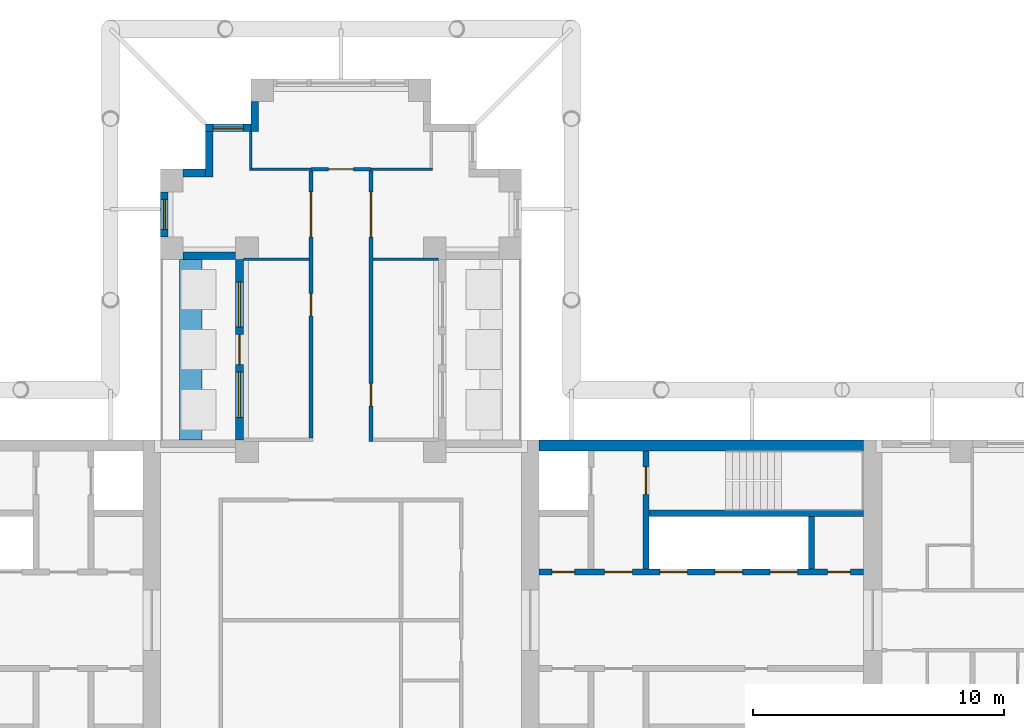
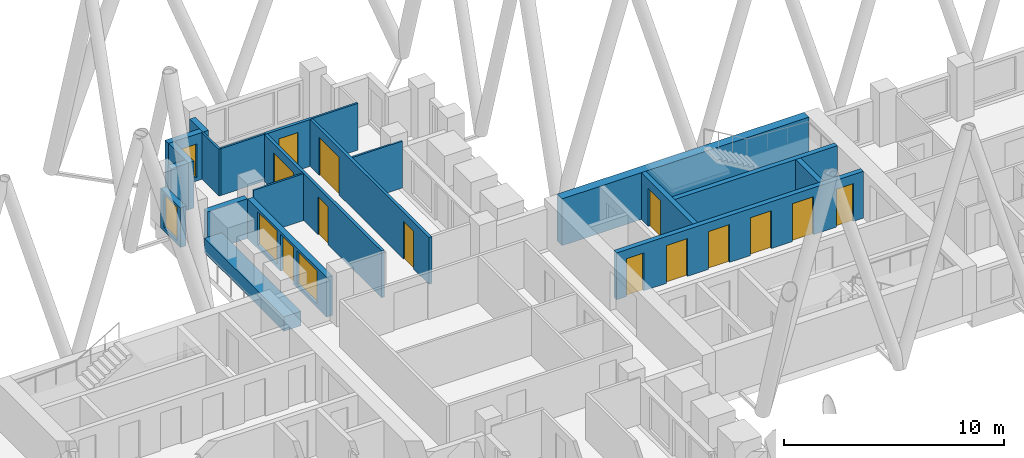
# One storey, part 7 of 12: 21 walls, 13 doors, 4 windows, 17 openings.
"""IFC4 building model written with IfcOpenShell, lengths in metres."""

from ifc_helpers import new_model, si_unit, direction, frame, frame_2d, origin, place, context, subcontext, project, spatial, rectangle, extrude, material, layer, layer_set, type_object, element, fill, save


model = new_model("IFC4")

# Units and contexts
model_context = context("Model", 3, precision=1e-05, world=origin(), true_north=direction((0.0, 1.0)))
body_context = subcontext(model_context, "Body", "Model", "MODEL_VIEW")
ifc_project = project(units=[si_unit("LENGTHUNIT", "METRE"), si_unit("AREAUNIT", "SQUARE_METRE"), si_unit("VOLUMEUNIT", "CUBIC_METRE"), si_unit("PLANEANGLEUNIT", "RADIAN"), si_unit("MASSUNIT", "GRAM", prefix="KILO")], contexts=[model_context])

# Site, building, storey
site_placement = place(None, origin())
site = spatial("IfcSite", under=ifc_project, at=site_placement, CompositionType="ELEMENT")
building_placement = place(site_placement, origin())
building = spatial("IfcBuilding", under=site, at=building_placement, Name="Fustian Cross Tower", CompositionType="ELEMENT")
storey_placement = place(building_placement, frame((0.0, 0.0, 129.300048828125)))
storey = spatial("IfcBuildingStorey", under=building, at=storey_placement, Name="L40", CompositionType="ELEMENT", Elevation=129.300048828125)

# Wall, openings, doors
ifc_material_1 = material(Name="Plasterboard on steel stud", Category="steel")
ifc_layer_1 = layer(ifc_material_1, 0.14990234375)
ifc_layer_set_1 = layer_set([ifc_layer_1], Name="Plasterboard on steel stud")
wall_type_1 = type_object("IfcWallType", Name="COMPARTMENT WALL 150 EI 60", PredefinedType="PARTITIONING", material=ifc_layer_set_1)
wall_1_placement = place(storey_placement, frame((-1.199951171875, 7.27490234375, 0.0), z_axis=(0.0, 0.0, 1.0), x_axis=(0.0, 1.0, 0.0)))
wall_1 = element("IfcWall", 1, at=wall_1_placement, inside=storey, type_object=wall_type_1, Name="Partition 31", PredefinedType="PARTITIONING", context=body_context, shape_type="SweptSolid", body=[
    extrude(rectangle(XDim=10.650146484375, YDim=0.14990234375, at=frame_2d((5.3251953125, 0.0))), origin(), (0.0, 0.0, 1.0), 2.599853515625),
])
opening_1_placement = place(wall_1_placement, frame((4.875, 0.0, 0.0)))
opening_1 = element("IfcOpeningElement", 2, at=opening_1_placement, cuts=wall_1, Name="Opening D19016", PredefinedType="OPENING", context=body_context, shape_type="SweptSolid", body=[
    extrude(rectangle(XDim=0.89990234375, YDim=2.10009765625, at=frame_2d((0.449951171875, 1.050048828125))), frame((0.0, 0.0849609375, 0.0), z_axis=(0.0, -1.0, 0.0), x_axis=(1.0, 0.0, 0.0)), (0.0, 0.0, 1.0), 0.169921875),
])
opening_2_placement = place(wall_1_placement, frame((8.02490234375, 0.0, 0.0)))
opening_2 = element("IfcOpeningElement", 3, at=opening_2_placement, cuts=wall_1, Name="Opening D19017", PredefinedType="OPENING", context=body_context, shape_type="SweptSolid", body=[
    extrude(rectangle(XDim=1.800048828125, YDim=2.10009765625, at=frame_2d((0.89990234375, 1.050048828125))), frame((0.0, 0.0849609375, 0.0), z_axis=(0.0, -1.0, 0.0), x_axis=(1.0, 0.0, 0.0)), (0.0, 0.0, 1.0), 0.169921875),
])
ifc_material_2 = material(Name="Timber fire door set", Category="wood")
door_type_1 = type_object("IfcDoorType", Name="FIRE DOUBLE DOOR 1800 FD30S", OperationType="DOUBLE_DOOR_DOUBLE_SWING", PredefinedType="DOOR", material=ifc_material_2)
door_1_placement = place(opening_2_placement, frame((1.800048828125, 0.0, 0.0), z_axis=(0.0, 0.0, 1.0), x_axis=(-1.0, 0.0, 0.0)))
door_1 = element("IfcDoor", 4, at=door_1_placement, inside=storey, type_object=door_type_1, Name="Door D19017", OperationType="DOUBLE_DOOR_DOUBLE_SWING", OverallHeight=2.10009765625, OverallWidth=1.800048828125, PredefinedType="DOOR", context=body_context, shape_type="SweptSolid", body=[
    extrude(rectangle(XDim=1.800048828125, YDim=2.10009765625, at=frame_2d((0.89990234375, 1.050048828125))), frame((0.0, 0.02490234375, 0.0), z_axis=(0.0, -1.0, 0.0), x_axis=(1.0, 0.0, 0.0)), (0.0, 0.0, 1.0), 0.050048828125),
])
fill(opening_2, door_1)
ifc_material_3 = material(Name="Timber fire door set", Category="wood")
door_type_2 = type_object("IfcDoorType", Name="FIRE SWING DOOR 900 FD30S", OperationType="SINGLE_SWING_LEFT", PredefinedType="DOOR", material=ifc_material_3)
door_2_placement = place(opening_1_placement, origin())
door_2 = element("IfcDoor", 5, at=door_2_placement, inside=storey, type_object=door_type_2, Name="Door D19016", OperationType="SINGLE_SWING_RIGHT", OverallHeight=2.10009765625, OverallWidth=0.89990234375, PredefinedType="DOOR", context=body_context, shape_type="SweptSolid", body=[
    extrude(rectangle(XDim=0.89990234375, YDim=2.10009765625, at=frame_2d((0.449951171875, 1.050048828125))), frame((0.0, 0.02490234375, 0.0), z_axis=(0.0, -1.0, 0.0), x_axis=(1.0, 0.0, 0.0)), (0.0, 0.0, 1.0), 0.050048828125),
])
fill(opening_1, door_2)

# Wall, opening, door
wall_2_placement = place(storey_placement, frame((-1.199951171875, 18.0, 0.0), z_axis=(0.0, 0.0, 1.0), x_axis=(1.0, 0.0, 0.0)))
wall_2 = element("IfcWall", 6, at=wall_2_placement, inside=storey, type_object=wall_type_1, Name="Partition 32", PredefinedType="PARTITIONING", context=body_context, shape_type="SweptSolid", body=[
    extrude(rectangle(XDim=2.39990234375, YDim=0.14990234375, at=frame_2d((1.199951171875, 0.0))), origin(), (0.0, 0.0, 1.0), 2.599853515625),
])
opening_3_placement = place(wall_2_placement, frame((0.699951171875, 0.0, 0.0)))
opening_3 = element("IfcOpeningElement", 7, at=opening_3_placement, cuts=wall_2, Name="Opening D19015", PredefinedType="OPENING", context=body_context, shape_type="SweptSolid", body=[
    extrude(rectangle(XDim=1.0, YDim=2.10009765625, at=frame_2d((0.5, 1.050048828125))), frame((0.0, 0.0849609375, 0.0), z_axis=(0.0, -1.0, 0.0), x_axis=(1.0, 0.0, 0.0)), (0.0, 0.0, 1.0), 0.169921875),
])
ifc_material_4 = material(Name="Timber fire door set", Category="wood")
door_type_3 = type_object("IfcDoorType", Name="FIRE SWING DOOR 1000 FD30S", OperationType="SINGLE_SWING_LEFT", PredefinedType="DOOR", material=ifc_material_4)
door_3_placement = place(opening_3_placement, origin())
door_3 = element("IfcDoor", 8, at=door_3_placement, inside=storey, type_object=door_type_3, Name="Door D19015", OperationType="SINGLE_SWING_LEFT", OverallHeight=2.10009765625, OverallWidth=1.0, PredefinedType="DOOR", context=body_context, shape_type="SweptSolid", body=[
    extrude(rectangle(XDim=1.0, YDim=2.10009765625, at=frame_2d((0.5, 1.050048828125))), frame((0.0, 0.02490234375, 0.0), z_axis=(0.0, -1.0, 0.0), x_axis=(1.0, 0.0, 0.0)), (0.0, 0.0, 1.0), 0.050048828125),
])
fill(opening_3, door_3)

# Wall, openings, doors
wall_3_placement = place(storey_placement, frame((1.199951171875, 7.125, 0.0), z_axis=(0.0, 0.0, 1.0), x_axis=(0.0, 1.0, 0.0)))
wall_3 = element("IfcWall", 9, at=wall_3_placement, inside=storey, type_object=wall_type_1, Name="Partition 38", PredefinedType="PARTITIONING", context=body_context, shape_type="SweptSolid", body=[
    extrude(rectangle(XDim=10.800048828125, YDim=0.14990234375, at=frame_2d((5.39990234375, 0.0))), origin(), (0.0, 0.0, 1.0), 2.599853515625),
])
opening_4_placement = place(wall_3_placement, frame((1.425048828125, 0.0, 0.0)))
opening_4 = element("IfcOpeningElement", 10, at=opening_4_placement, cuts=wall_3, Name="Opening D19018", PredefinedType="OPENING", context=body_context, shape_type="SweptSolid", body=[
    extrude(rectangle(XDim=0.89990234375, YDim=2.10009765625, at=frame_2d((0.449951171875, 1.050048828125))), frame((0.0, 0.0849609375, 0.0), z_axis=(0.0, -1.0, 0.0), x_axis=(1.0, 0.0, 0.0)), (0.0, 0.0, 1.0), 0.169921875),
])
opening_5_placement = place(wall_3_placement, frame((8.175048828125, 0.0, 0.0)))
opening_5 = element("IfcOpeningElement", 11, at=opening_5_placement, cuts=wall_3, Name="Opening D19019", PredefinedType="OPENING", context=body_context, shape_type="SweptSolid", body=[
    extrude(rectangle(XDim=1.800048828125, YDim=2.10009765625, at=frame_2d((0.89990234375, 1.050048828125))), frame((0.0, 0.0849609375, 0.0), z_axis=(0.0, -1.0, 0.0), x_axis=(1.0, 0.0, 0.0)), (0.0, 0.0, 1.0), 0.169921875),
])
door_4_placement = place(opening_5_placement, origin())
door_4 = element("IfcDoor", 12, at=door_4_placement, inside=storey, type_object=door_type_1, Name="Door D19019", OperationType="DOUBLE_DOOR_DOUBLE_SWING", OverallHeight=2.10009765625, OverallWidth=1.800048828125, PredefinedType="DOOR", context=body_context, shape_type="SweptSolid", body=[
    extrude(rectangle(XDim=1.800048828125, YDim=2.10009765625, at=frame_2d((0.89990234375, 1.050048828125))), frame((0.0, 0.02490234375, 0.0), z_axis=(0.0, -1.0, 0.0), x_axis=(1.0, 0.0, 0.0)), (0.0, 0.0, 1.0), 0.050048828125),
])
fill(opening_5, door_4)
door_5_placement = place(opening_4_placement, frame((0.89990234375, 0.0, 0.0), z_axis=(0.0, 0.0, 1.0), x_axis=(-1.0, 0.0, 0.0)))
door_5 = element("IfcDoor", 13, at=door_5_placement, inside=storey, type_object=door_type_2, Name="Door D19018", OperationType="SINGLE_SWING_RIGHT", OverallHeight=2.10009765625, OverallWidth=0.89990234375, PredefinedType="DOOR", context=body_context, shape_type="SweptSolid", body=[
    extrude(rectangle(XDim=0.89990234375, YDim=2.10009765625, at=frame_2d((0.449951171875, 1.050048828125))), frame((0.0, 0.02490234375, 0.0), z_axis=(0.0, -1.0, 0.0), x_axis=(1.0, 0.0, 0.0)), (0.0, 0.0, 1.0), 0.050048828125),
])
fill(opening_4, door_5)

# Wall
ifc_material_5 = material(Name="Concrete C60/75", Category="concrete")
ifc_layer_2 = layer(ifc_material_5, 0.449951171875)
ifc_layer_set_2 = layer_set([ifc_layer_2], Name="Concrete C60/75")
wall_type_2 = type_object("IfcWallType", Name="CORE FACADE WALL 450 C60/75", PredefinedType="SHEAR", material=ifc_layer_set_2)
wall_4_placement = place(storey_placement, frame((7.89990234375, 6.97509765625, 0.0), z_axis=(0.0, 0.0, 1.0), x_axis=(1.0, 0.0, 0.0)))
element("IfcWall", 14, at=wall_4_placement, inside=storey, type_object=wall_type_2, Name="Core facade wall", PredefinedType="SHEAR", context=body_context, shape_type="SweptSolid", body=[
    extrude(rectangle(XDim=12.9501953125, YDim=0.449951171875, at=frame_2d((6.47509765625, 0.0))), origin(), (0.0, 0.0, 1.0), 2.599853515625),
])

# Wall, openings, doors
ifc_material_6 = material(Name="Concrete C50/60", Category="concrete")
ifc_layer_3 = layer(ifc_material_6, 0.25)
ifc_layer_set_3 = layer_set([ifc_layer_3], Name="Concrete C50/60")
wall_type_3 = type_object("IfcWallType", Name="CORE LOBBY WALL 250 C50/60", PredefinedType="SHEAR", material=ifc_layer_set_3)
wall_5_placement = place(storey_placement, frame((7.89990234375, 1.925048828125, 0.0), z_axis=(0.0, 0.0, 1.0), x_axis=(1.0, 0.0, 0.0)))
wall_5 = element("IfcWall", 15, at=wall_5_placement, inside=storey, type_object=wall_type_3, Name="Core lobby wall", PredefinedType="SHEAR", context=body_context, shape_type="SweptSolid", body=[
    extrude(rectangle(XDim=12.9501953125, YDim=0.25, at=frame_2d((6.47509765625, 0.0))), origin(), (0.0, 0.0, 1.0), 2.599853515625),
])
opening_6_placement = place(wall_5_placement, frame((4.824951171875, 0.0, 0.0)))
opening_6 = element("IfcOpeningElement", 16, at=opening_6_placement, cuts=wall_5, Name="Opening LD", PredefinedType="OPENING", context=body_context, shape_type="SweptSolid", body=[
    extrude(rectangle(XDim=1.10009765625, YDim=2.10009765625, at=frame_2d((0.550048828125, 1.050048828125))), frame((0.0, 0.135009765625, 0.0), z_axis=(0.0, -1.0, 0.0), x_axis=(1.0, 0.0, 0.0)), (0.0, 0.0, 1.0), 0.27001953125),
])
opening_7_placement = place(wall_5_placement, frame((7.02490234375, 0.0, 0.0)))
opening_7 = element("IfcOpeningElement", 17, at=opening_7_placement, cuts=wall_5, Name="Opening LD", PredefinedType="OPENING", context=body_context, shape_type="SweptSolid", body=[
    extrude(rectangle(XDim=1.10009765625, YDim=2.10009765625, at=frame_2d((0.550048828125, 1.050048828125))), frame((0.0, 0.135009765625, 0.0), z_axis=(0.0, -1.0, 0.0), x_axis=(1.0, 0.0, 0.0)), (0.0, 0.0, 1.0), 0.27001953125),
])
opening_8_placement = place(wall_5_placement, frame((9.22509765625, 0.0, 0.0)))
opening_8 = element("IfcOpeningElement", 18, at=opening_8_placement, cuts=wall_5, Name="Opening LD", PredefinedType="OPENING", context=body_context, shape_type="SweptSolid", body=[
    extrude(rectangle(XDim=1.10009765625, YDim=2.10009765625, at=frame_2d((0.550048828125, 1.050048828125))), frame((0.0, 0.135009765625, 0.0), z_axis=(0.0, -1.0, 0.0), x_axis=(1.0, 0.0, 0.0)), (0.0, 0.0, 1.0), 0.27001953125),
])
opening_9_placement = place(wall_5_placement, frame((0.52490234375, 0.0, 0.0)))
opening_9 = element("IfcOpeningElement", 19, at=opening_9_placement, cuts=wall_5, Name="Opening CD-17-08", PredefinedType="OPENING", context=body_context, shape_type="SweptSolid", body=[
    extrude(rectangle(XDim=0.89990234375, YDim=2.10009765625, at=frame_2d((0.449951171875, 1.050048828125))), frame((0.0, 0.135009765625, 0.0), z_axis=(0.0, -1.0, 0.0), x_axis=(1.0, 0.0, 0.0)), (0.0, 0.0, 1.0), 0.27001953125),
])
opening_10_placement = place(wall_5_placement, frame((2.625, 0.0, 0.0)))
opening_10 = element("IfcOpeningElement", 20, at=opening_10_placement, cuts=wall_5, Name="Opening CD-17-10", PredefinedType="OPENING", context=body_context, shape_type="SweptSolid", body=[
    extrude(rectangle(XDim=1.10009765625, YDim=2.10009765625, at=frame_2d((0.550048828125, 1.050048828125))), frame((0.0, 0.135009765625, 0.0), z_axis=(0.0, -1.0, 0.0), x_axis=(1.0, 0.0, 0.0)), (0.0, 0.0, 1.0), 0.27001953125),
])
opening_11_placement = place(wall_5_placement, frame((11.52490234375, 0.0, 0.0)))
opening_11 = element("IfcOpeningElement", 21, at=opening_11_placement, cuts=wall_5, Name="Opening CD-17-14", PredefinedType="OPENING", context=body_context, shape_type="SweptSolid", body=[
    extrude(rectangle(XDim=0.89990234375, YDim=2.10009765625, at=frame_2d((0.449951171875, 1.050048828125))), frame((0.0, 0.135009765625, 0.0), z_axis=(0.0, -1.0, 0.0), x_axis=(1.0, 0.0, 0.0)), (0.0, 0.0, 1.0), 0.27001953125),
])
ifc_material_7 = material(Name="Steel", Category="steel")
door_type_4 = type_object("IfcDoorType", Name="FIRE DOOR FD30S 900X2100", OperationType="SINGLE_SWING_LEFT", PredefinedType="DOOR", material=ifc_material_7)
door_6_placement = place(opening_11_placement, origin())
door_6 = element("IfcDoor", 22, at=door_6_placement, inside=storey, type_object=door_type_4, Name="Core door CD-17-14", OperationType="SINGLE_SWING_LEFT", OverallHeight=2.10009765625, OverallWidth=0.89990234375, PredefinedType="DOOR", context=body_context, shape_type="SweptSolid", body=[
    extrude(rectangle(XDim=0.89990234375, YDim=2.10009765625, at=frame_2d((0.449951171875, 1.050048828125))), frame((0.0, 0.02490234375, 0.0), z_axis=(0.0, -1.0, 0.0), x_axis=(1.0, 0.0, 0.0)), (0.0, 0.0, 1.0), 0.050048828125),
])
fill(opening_11, door_6)
ifc_material_8 = material(Name="Steel", Category="steel")
door_type_5 = type_object("IfcDoorType", Name="FIRE DOOR FD60S 1100X2100", OperationType="SINGLE_SWING_LEFT", PredefinedType="DOOR", material=ifc_material_8)
door_7_placement = place(opening_10_placement, frame((1.10009765625, 0.0, 0.0), z_axis=(0.0, 0.0, 1.0), x_axis=(-1.0, 0.0, 0.0)))
door_7 = element("IfcDoor", 23, at=door_7_placement, inside=storey, type_object=door_type_5, Name="Core door CD-17-10", OperationType="SINGLE_SWING_RIGHT", OverallHeight=2.10009765625, OverallWidth=1.10009765625, PredefinedType="DOOR", context=body_context, shape_type="SweptSolid", body=[
    extrude(rectangle(XDim=1.10009765625, YDim=2.10009765625, at=frame_2d((0.550048828125, 1.050048828125))), frame((0.0, 0.02490234375, 0.0), z_axis=(0.0, -1.0, 0.0), x_axis=(1.0, 0.0, 0.0)), (0.0, 0.0, 1.0), 0.050048828125),
])
fill(opening_10, door_7)
ifc_material_9 = material(Name="Steel", Category="steel")
door_type_6 = type_object("IfcDoorType", Name="FIRE DOOR FD60S 900X2100", OperationType="SINGLE_SWING_LEFT", PredefinedType="DOOR", material=ifc_material_9)
door_8_placement = place(opening_9_placement, origin())
door_8 = element("IfcDoor", 24, at=door_8_placement, inside=storey, type_object=door_type_6, Name="Core door CD-17-08", OperationType="SINGLE_SWING_LEFT", OverallHeight=2.10009765625, OverallWidth=0.89990234375, PredefinedType="DOOR", context=body_context, shape_type="SweptSolid", body=[
    extrude(rectangle(XDim=0.89990234375, YDim=2.10009765625, at=frame_2d((0.449951171875, 1.050048828125))), frame((0.0, 0.02490234375, 0.0), z_axis=(0.0, -1.0, 0.0), x_axis=(1.0, 0.0, 0.0)), (0.0, 0.0, 1.0), 0.050048828125),
])
fill(opening_9, door_8)
ifc_material_10 = material(Name="Stainless steel", Category="steel")
door_type_7 = type_object("IfcDoorType", Name="LIFT LANDING DOOR 1100X2100", OperationType="SLIDING_TO_LEFT", PredefinedType="DOOR", material=ifc_material_10)
door_9_placement = place(opening_6_placement, origin())
door_9 = element("IfcDoor", 25, at=door_9_placement, inside=storey, type_object=door_type_7, Name="Landing door HR1", OperationType="SLIDING_TO_LEFT", OverallHeight=2.10009765625, OverallWidth=1.10009765625, PredefinedType="DOOR", context=body_context, shape_type="SweptSolid", body=[
    extrude(rectangle(XDim=1.10009765625, YDim=2.10009765625, at=frame_2d((0.550048828125, 1.050048828125))), frame((0.0, 0.02490234375, 0.0), z_axis=(0.0, -1.0, 0.0), x_axis=(1.0, 0.0, 0.0)), (0.0, 0.0, 1.0), 0.050048828125),
])
fill(opening_6, door_9)
door_10_placement = place(opening_7_placement, origin())
door_10 = element("IfcDoor", 26, at=door_10_placement, inside=storey, type_object=door_type_7, Name="Landing door HR2", OperationType="SLIDING_TO_LEFT", OverallHeight=2.10009765625, OverallWidth=1.10009765625, PredefinedType="DOOR", context=body_context, shape_type="SweptSolid", body=[
    extrude(rectangle(XDim=1.10009765625, YDim=2.10009765625, at=frame_2d((0.550048828125, 1.050048828125))), frame((0.0, 0.02490234375, 0.0), z_axis=(0.0, -1.0, 0.0), x_axis=(1.0, 0.0, 0.0)), (0.0, 0.0, 1.0), 0.050048828125),
])
fill(opening_7, door_10)
door_11_placement = place(opening_8_placement, origin())
door_11 = element("IfcDoor", 27, at=door_11_placement, inside=storey, type_object=door_type_7, Name="Landing door HR3", OperationType="SLIDING_TO_LEFT", OverallHeight=2.10009765625, OverallWidth=1.10009765625, PredefinedType="DOOR", context=body_context, shape_type="SweptSolid", body=[
    extrude(rectangle(XDim=1.10009765625, YDim=2.10009765625, at=frame_2d((0.550048828125, 1.050048828125))), frame((0.0, 0.02490234375, 0.0), z_axis=(0.0, -1.0, 0.0), x_axis=(1.0, 0.0, 0.0)), (0.0, 0.0, 1.0), 0.050048828125),
])
fill(opening_8, door_11)

# Wall
ifc_material_11 = material(Name="Concrete C50/60", Category="concrete")
ifc_layer_4 = layer(ifc_material_11, 0.25)
ifc_layer_set_4 = layer_set([ifc_layer_4], Name="Concrete C50/60")
wall_type_4 = type_object("IfcWallType", Name="CORE SHAFT WALL 250 C50/60", PredefinedType="SHEAR", material=ifc_layer_set_4)
wall_6_placement = place(storey_placement, frame((12.300048828125, 4.27490234375, 0.0), z_axis=(0.0, 0.0, 1.0), x_axis=(1.0, 0.0, 0.0)))
element("IfcWall", 28, at=wall_6_placement, inside=storey, type_object=wall_type_4, Name="Core shaft wall", PredefinedType="SHEAR", context=body_context, shape_type="SweptSolid", body=[
    extrude(rectangle(XDim=8.550048828125, YDim=0.25, at=frame_2d((4.27490234375, 0.0))), origin(), (0.0, 0.0, 1.0), 2.599853515625),
])

# Wall, opening, door
wall_7_placement = place(storey_placement, frame((12.175048828125, 2.050048828125, 0.0), z_axis=(0.0, 0.0, 1.0), x_axis=(0.0, 1.0, 0.0)))
wall_7 = element("IfcWall", 29, at=wall_7_placement, inside=storey, type_object=wall_type_4, Name="Core shaft wall", PredefinedType="SHEAR", context=body_context, shape_type="SweptSolid", body=[
    extrude(rectangle(XDim=4.699951171875, YDim=0.25, at=frame_2d((2.35009765625, 0.0))), origin(), (0.0, 0.0, 1.0), 2.599853515625),
])
opening_12_placement = place(wall_7_placement, frame((2.97509765625, 0.0, 0.0)))
opening_12 = element("IfcOpeningElement", 30, at=opening_12_placement, cuts=wall_7, Name="Opening CD-17-06", PredefinedType="OPENING", context=body_context, shape_type="SweptSolid", body=[
    extrude(rectangle(XDim=1.10009765625, YDim=2.10009765625, at=frame_2d((0.550048828125, 1.050048828125))), frame((0.0, 0.135009765625, 0.0), z_axis=(0.0, -1.0, 0.0), x_axis=(1.0, 0.0, 0.0)), (0.0, 0.0, 1.0), 0.27001953125),
])
door_12_placement = place(opening_12_placement, frame((1.10009765625, 0.0, 0.0), z_axis=(0.0, 0.0, 1.0), x_axis=(-1.0, 0.0, 0.0)))
door_12 = element("IfcDoor", 31, at=door_12_placement, inside=storey, type_object=door_type_5, Name="Core door CD-17-06", OperationType="SINGLE_SWING_RIGHT", OverallHeight=2.10009765625, OverallWidth=1.10009765625, PredefinedType="DOOR", context=body_context, shape_type="SweptSolid", body=[
    extrude(rectangle(XDim=1.10009765625, YDim=2.10009765625, at=frame_2d((0.550048828125, 1.050048828125))), frame((0.0, 0.02490234375, 0.0), z_axis=(0.0, -1.0, 0.0), x_axis=(1.0, 0.0, 0.0)), (0.0, 0.0, 1.0), 0.050048828125),
])
fill(opening_12, door_12)

# Walls
ifc_material_12 = material(Name="Plasterboard on steel stud", Category="steel")
ifc_layer_5 = layer(ifc_material_12, 0.10009765625)
ifc_layer_set_5 = layer_set([ifc_layer_5], Name="Plasterboard on steel stud")
wall_type_5 = type_object("IfcWallType", Name="PARTITION 100 STUD", PredefinedType="PARTITIONING", material=ifc_layer_set_5)
wall_8_placement = place(storey_placement, frame((-3.89990234375, 14.39990234375, 0.0), z_axis=(0.0, 0.0, 1.0), x_axis=(1.0, 0.0, 0.0)))
element("IfcWall", 32, at=wall_8_placement, inside=storey, type_object=wall_type_5, Name="Partition 23", PredefinedType="PARTITIONING", context=body_context, shape_type="SweptSolid", body=[
    extrude(rectangle(XDim=2.625, YDim=0.10009765625, at=frame_2d((1.3125, 0.0))), origin(), (0.0, 0.0, 1.0), 2.599853515625),
])
wall_9_placement = place(storey_placement, frame((-3.60009765625, 17.949951171875, 0.0), z_axis=(0.0, 0.0, 1.0), x_axis=(0.0, 1.0, 0.0)))
element("IfcWall", 33, at=wall_9_placement, inside=storey, type_object=wall_type_5, Name="Partition 27", PredefinedType="PARTITIONING", context=body_context, shape_type="SweptSolid", body=[
    extrude(rectangle(XDim=1.550048828125, YDim=0.10009765625, at=frame_2d((0.77490234375, 0.0))), origin(), (0.0, 0.0, 1.0), 2.599853515625),
])
wall_10_placement = place(storey_placement, frame((-3.550048828125, 18.0, 0.0), z_axis=(0.0, 0.0, 1.0), x_axis=(1.0, 0.0, 0.0)))
element("IfcWall", 34, at=wall_10_placement, inside=storey, type_object=wall_type_5, Name="Partition 28", PredefinedType="PARTITIONING", context=body_context, shape_type="SweptSolid", body=[
    extrude(rectangle(XDim=2.35009765625, YDim=0.10009765625, at=frame_2d((1.175048828125, 0.0))), origin(), (0.0, 0.0, 1.0), 2.599853515625),
])
wall_11_placement = place(storey_placement, frame((1.27490234375, 14.39990234375, 0.0), z_axis=(0.0, 0.0, 1.0), x_axis=(1.0, 0.0, 0.0)))
element("IfcWall", 35, at=wall_11_placement, inside=storey, type_object=wall_type_5, Name="Partition 40", PredefinedType="PARTITIONING", context=body_context, shape_type="SweptSolid", body=[
    extrude(rectangle(XDim=2.625, YDim=0.10009765625, at=frame_2d((1.3125, 0.0))), origin(), (0.0, 0.0, 1.0), 2.599853515625),
])
wall_12_placement = place(storey_placement, frame((1.199951171875, 18.0, 0.0), z_axis=(0.0, 0.0, 1.0), x_axis=(1.0, 0.0, 0.0)))
element("IfcWall", 36, at=wall_12_placement, inside=storey, type_object=wall_type_5, Name="Partition 41", PredefinedType="PARTITIONING", context=body_context, shape_type="SweptSolid", body=[
    extrude(rectangle(XDim=2.449951171875, YDim=0.10009765625, at=frame_2d((1.22509765625, 0.0))), origin(), (0.0, 0.0, 1.0), 2.599853515625),
])
ifc_material_13 = material(Name="Concrete C40/50", Category="concrete")
ifc_layer_6 = layer(ifc_material_13, 0.89990234375)
ifc_layer_set_6 = layer_set([ifc_layer_6], Name="Concrete C40/50")
wall_type_6 = type_object("IfcWallType", Name="PK1 PLANTER 900", PredefinedType="PARAPET", material=ifc_layer_set_6)
wall_13_placement = place(storey_placement, frame((-6.0, 7.199951171875, 0.0), z_axis=(0.0, 0.0, 1.0), x_axis=(0.0, 1.0, 0.0)))
element("IfcWall", 37, at=wall_13_placement, inside=storey, type_object=wall_type_6, Name="PLANTER", PredefinedType="PARAPET", context=body_context, shape_type="SweptSolid", body=[
    extrude(rectangle(XDim=7.199951171875, YDim=0.89990234375, at=frame_2d((3.60009765625, 0.0))), origin(), (0.0, 0.0, 1.0), 0.800048828125),
])
ifc_material_14 = material(Name="Concrete C40/50", Category="concrete")
ifc_layer_7 = layer(ifc_material_14, 0.25)
ifc_layer_set_7 = layer_set([ifc_layer_7], Name="Concrete C40/50")
wall_type_7 = type_object("IfcWallType", Name="SHAFT PARTITION WALL 250 C40/50", PredefinedType="PARTITIONING", material=ifc_layer_set_7)
wall_14_placement = place(storey_placement, frame((18.77490234375, 2.050048828125, 0.0), z_axis=(0.0, 0.0, 1.0), x_axis=(0.0, 1.0, 0.0)))
element("IfcWall", 38, at=wall_14_placement, inside=storey, type_object=wall_type_7, Name="Core shaft wall", PredefinedType="PARTITIONING", context=body_context, shape_type="SweptSolid", body=[
    extrude(rectangle(XDim=2.099853515625, YDim=0.25, at=frame_2d((1.0498046875, 0.0))), origin(), (0.0, 0.0, 1.0), 2.599853515625),
])
ifc_material_15 = material(Name="Dark aluminium cladding on insulated backing wall", Category="aluminium")
ifc_layer_8 = layer(ifc_material_15, 0.300048828125)
ifc_layer_set_8 = layer_set([ifc_layer_8], Name="Dark aluminium cladding on insulated backing wall")
wall_type_8 = type_object("IfcWallType", Name="XW1 EXTERNAL WALL 300", PredefinedType="SOLIDWALL", material=ifc_layer_set_8)
wall_15_placement = place(storey_placement, frame((-3.449951171875, 20.699951171875, 0.0), z_axis=(0.0, 0.0, 1.0), x_axis=(0.0, -1.0, 0.0)))
element("IfcWall", 39, at=wall_15_placement, inside=storey, type_object=wall_type_8, Name="External wall", PredefinedType="SOLIDWALL", context=body_context, shape_type="SweptSolid", body=[
    extrude(rectangle(XDim=1.199951171875, YDim=0.300048828125, at=frame_2d((0.60009765625, 0.0))), origin(), (0.0, 0.0, 1.0), 2.599853515625),
])

# Wall, opening, window
wall_16_placement = place(storey_placement, frame((-3.60009765625, 19.64990234375, 0.0), z_axis=(0.0, 0.0, 1.0), x_axis=(-1.0, 0.0, 0.0)))
wall_16 = element("IfcWall", 40, at=wall_16_placement, inside=storey, type_object=wall_type_8, Name="External wall", PredefinedType="SOLIDWALL", context=body_context, shape_type="SweptSolid", body=[
    extrude(rectangle(XDim=1.7998046875, YDim=0.300048828125, at=frame_2d((0.89990234375, 0.0))), origin(), (0.0, 0.0, 1.0), 2.599853515625),
])
opening_13_placement = place(wall_16_placement, frame((0.300048828125, 0.0, 0.199951171875)))
opening_13 = element("IfcOpeningElement", 41, at=opening_13_placement, cuts=wall_16, Name="Opening WN3", PredefinedType="OPENING", context=body_context, shape_type="SweptSolid", body=[
    extrude(rectangle(XDim=1.199951171875, YDim=1.85009765625, at=frame_2d((0.60009765625, 0.925048828125))), frame((0.0, 0.159912109375, 0.0), z_axis=(0.0, -1.0, 0.0), x_axis=(1.0, 0.0, 0.0)), (0.0, 0.0, 1.0), 0.320068359375),
])
ifc_material_16 = material(Name="Dark anodised aluminium and double glazing", Category="aluminium")
window_type_1 = type_object("IfcWindowType", Name="WN3 WINDOW 1200X1850", PartitioningType="SINGLE_PANEL", PredefinedType="WINDOW", material=ifc_material_16)
window_1_placement = place(opening_13_placement, origin())
window_1 = element("IfcWindow", 42, at=window_1_placement, inside=storey, type_object=window_type_1, Name="Window", OverallHeight=1.85009765625, OverallWidth=1.199951171875, PartitioningType="SINGLE_PANEL", PredefinedType="WINDOW", context=body_context, shape_type="SweptSolid", body=[
    extrude(rectangle(XDim=1.199951171875, YDim=1.85009765625, at=frame_2d((0.60009765625, 0.925048828125))), frame((0.0, 0.030029296875, 0.0), z_axis=(0.0, -1.0, 0.0), x_axis=(1.0, 0.0, 0.0)), (0.0, 0.0, 1.0), 0.06005859375),
])
fill(opening_13, window_1)

# Walls
wall_17_placement = place(storey_placement, frame((-5.25, 19.5, 0.0), z_axis=(0.0, 0.0, 1.0), x_axis=(0.0, -1.0, 0.0)))
element("IfcWall", 43, at=wall_17_placement, inside=storey, type_object=wall_type_8, Name="External wall", PredefinedType="SOLIDWALL", context=body_context, shape_type="SweptSolid", body=[
    extrude(rectangle(XDim=1.800048828125, YDim=0.300048828125, at=frame_2d((0.89990234375, 0.0))), origin(), (0.0, 0.0, 1.0), 2.599853515625),
])
wall_18_placement = place(storey_placement, frame((-5.39990234375, 17.85009765625, 0.0), z_axis=(0.0, 0.0, 1.0), x_axis=(-1.0, 0.0, 0.0)))
element("IfcWall", 44, at=wall_18_placement, inside=storey, type_object=wall_type_8, Name="External wall", PredefinedType="SOLIDWALL", context=body_context, shape_type="SweptSolid", body=[
    extrude(rectangle(XDim=0.900146484375, YDim=0.300048828125, at=frame_2d((0.4501953125, 0.0))), origin(), (0.0, 0.0, 1.0), 2.599853515625),
])

# Wall, opening, window
wall_19_placement = place(storey_placement, frame((-7.050048828125, 17.10009765625, 0.0), z_axis=(0.0, 0.0, 1.0), x_axis=(0.0, -1.0, 0.0)))
wall_19 = element("IfcWall", 45, at=wall_19_placement, inside=storey, type_object=wall_type_8, Name="External wall", PredefinedType="SOLIDWALL", context=body_context, shape_type="SweptSolid", body=[
    extrude(rectangle(XDim=1.800048828125, YDim=0.300048828125, at=frame_2d((0.89990234375, 0.0))), origin(), (0.0, 0.0, 1.0), 2.199951171875),
])
opening_14_placement = place(wall_19_placement, frame((0.300048828125, 0.0, 0.199951171875)))
opening_14 = element("IfcOpeningElement", 46, at=opening_14_placement, cuts=wall_19, Name="Opening WN3", PredefinedType="OPENING", context=body_context, shape_type="SweptSolid", body=[
    extrude(rectangle(XDim=1.199951171875, YDim=1.85009765625, at=frame_2d((0.60009765625, 0.925048828125))), frame((0.0, 0.159912109375, 0.0), z_axis=(0.0, -1.0, 0.0), x_axis=(1.0, 0.0, 0.0)), (0.0, 0.0, 1.0), 0.320068359375),
])
window_2_placement = place(opening_14_placement, origin())
window_2 = element("IfcWindow", 47, at=window_2_placement, inside=storey, type_object=window_type_1, Name="Window", OverallHeight=1.85009765625, OverallWidth=1.199951171875, PartitioningType="SINGLE_PANEL", PredefinedType="WINDOW", context=body_context, shape_type="SweptSolid", body=[
    extrude(rectangle(XDim=1.199951171875, YDim=1.85009765625, at=frame_2d((0.60009765625, 0.925048828125))), frame((0.0, 0.030029296875, 0.0), z_axis=(0.0, -1.0, 0.0), x_axis=(1.0, 0.0, 0.0)), (0.0, 0.0, 1.0), 0.06005859375),
])
fill(opening_14, window_2)

# Wall
wall_20_placement = place(storey_placement, frame((-6.300048828125, 14.550048828125, 0.0), z_axis=(0.0, 0.0, 1.0), x_axis=(1.0, 0.0, 0.0)))
element("IfcWall", 48, at=wall_20_placement, inside=storey, type_object=wall_type_8, Name="External wall", PredefinedType="SOLIDWALL", context=body_context, shape_type="SweptSolid", body=[
    extrude(rectangle(XDim=2.10009765625, YDim=0.300048828125, at=frame_2d((1.050048828125, 0.0))), origin(), (0.0, 0.0, 1.0), 2.199951171875),
])

# Wall, openings, door, windows
wall_21_placement = place(storey_placement, frame((-4.050048828125, 14.39990234375, 0.0), z_axis=(0.0, 0.0, 1.0), x_axis=(0.0, -1.0, 0.0)))
wall_21 = element("IfcWall", 49, at=wall_21_placement, inside=storey, type_object=wall_type_8, Name="External wall", PredefinedType="SOLIDWALL", context=body_context, shape_type="SweptSolid", body=[
    extrude(rectangle(XDim=7.199951171875, YDim=0.300048828125, at=frame_2d((3.60009765625, 0.0))), origin(), (0.0, 0.0, 1.0), 2.199951171875),
])
opening_15_placement = place(wall_21_placement, frame((3.0, 0.0, 0.0)))
opening_15 = element("IfcOpeningElement", 50, at=opening_15_placement, cuts=wall_21, Name="Opening XD2", PredefinedType="OPENING", context=body_context, shape_type="SweptSolid", body=[
    extrude(rectangle(XDim=1.199951171875, YDim=2.050048828125, at=frame_2d((0.60009765625, 1.02490234375))), frame((0.0, 0.159912109375, 0.0), z_axis=(0.0, -1.0, 0.0), x_axis=(1.0, 0.0, 0.0)), (0.0, 0.0, 1.0), 0.320068359375),
])
opening_16_placement = place(wall_21_placement, frame((0.89990234375, 0.0, 0.199951171875)))
opening_16 = element("IfcOpeningElement", 51, at=opening_16_placement, cuts=wall_21, Name="Opening WN2", PredefinedType="OPENING", context=body_context, shape_type="SweptSolid", body=[
    extrude(rectangle(XDim=1.800048828125, YDim=1.85009765625, at=frame_2d((0.89990234375, 0.925048828125))), frame((0.0, 0.159912109375, 0.0), z_axis=(0.0, -1.0, 0.0), x_axis=(1.0, 0.0, 0.0)), (0.0, 0.0, 1.0), 0.320068359375),
])
opening_17_placement = place(wall_21_placement, frame((4.5, 0.0, 0.199951171875)))
opening_17 = element("IfcOpeningElement", 52, at=opening_17_placement, cuts=wall_21, Name="Opening WN2", PredefinedType="OPENING", context=body_context, shape_type="SweptSolid", body=[
    extrude(rectangle(XDim=1.800048828125, YDim=1.85009765625, at=frame_2d((0.89990234375, 0.925048828125))), frame((0.0, 0.159912109375, 0.0), z_axis=(0.0, -1.0, 0.0), x_axis=(1.0, 0.0, 0.0)), (0.0, 0.0, 1.0), 0.320068359375),
])
ifc_material_17 = material(Name="Dark anodised aluminium and double glazing", Category="aluminium")
door_type_8 = type_object("IfcDoorType", Name="ED1 BALCONY DOOR 1200X2050", OperationType="SINGLE_SWING_LEFT", PredefinedType="DOOR", material=ifc_material_17)
door_13_placement = place(opening_15_placement, origin())
door_13 = element("IfcDoor", 53, at=door_13_placement, inside=storey, type_object=door_type_8, Name="Balcony door", OperationType="SINGLE_SWING_LEFT", OverallHeight=2.050048828125, OverallWidth=1.199951171875, PredefinedType="DOOR", context=body_context, shape_type="SweptSolid", body=[
    extrude(rectangle(XDim=1.199951171875, YDim=2.050048828125, at=frame_2d((0.60009765625, 1.02490234375))), frame((0.0, 0.02490234375, 0.0), z_axis=(0.0, -1.0, 0.0), x_axis=(1.0, 0.0, 0.0)), (0.0, 0.0, 1.0), 0.050048828125),
])
fill(opening_15, door_13)
ifc_material_18 = material(Name="Dark anodised aluminium and double glazing", Category="aluminium")
window_type_2 = type_object("IfcWindowType", Name="WN2 WINDOW 1800X1850", PartitioningType="SINGLE_PANEL", PredefinedType="WINDOW", material=ifc_material_18)
window_3_placement = place(opening_16_placement, origin())
window_3 = element("IfcWindow", 54, at=window_3_placement, inside=storey, type_object=window_type_2, Name="Window", OverallHeight=1.85009765625, OverallWidth=1.800048828125, PartitioningType="SINGLE_PANEL", PredefinedType="WINDOW", context=body_context, shape_type="SweptSolid", body=[
    extrude(rectangle(XDim=1.800048828125, YDim=1.85009765625, at=frame_2d((0.89990234375, 0.925048828125))), frame((0.0, 0.030029296875, 0.0), z_axis=(0.0, -1.0, 0.0), x_axis=(1.0, 0.0, 0.0)), (0.0, 0.0, 1.0), 0.06005859375),
])
fill(opening_16, window_3)
window_4_placement = place(opening_17_placement, origin())
window_4 = element("IfcWindow", 55, at=window_4_placement, inside=storey, type_object=window_type_2, Name="Window", OverallHeight=1.85009765625, OverallWidth=1.800048828125, PartitioningType="SINGLE_PANEL", PredefinedType="WINDOW", context=body_context, shape_type="SweptSolid", body=[
    extrude(rectangle(XDim=1.800048828125, YDim=1.85009765625, at=frame_2d((0.89990234375, 0.925048828125))), frame((0.0, 0.030029296875, 0.0), z_axis=(0.0, -1.0, 0.0), x_axis=(1.0, 0.0, 0.0)), (0.0, 0.0, 1.0), 0.06005859375),
])
fill(opening_17, window_4)

save(model, "model.ifc")
